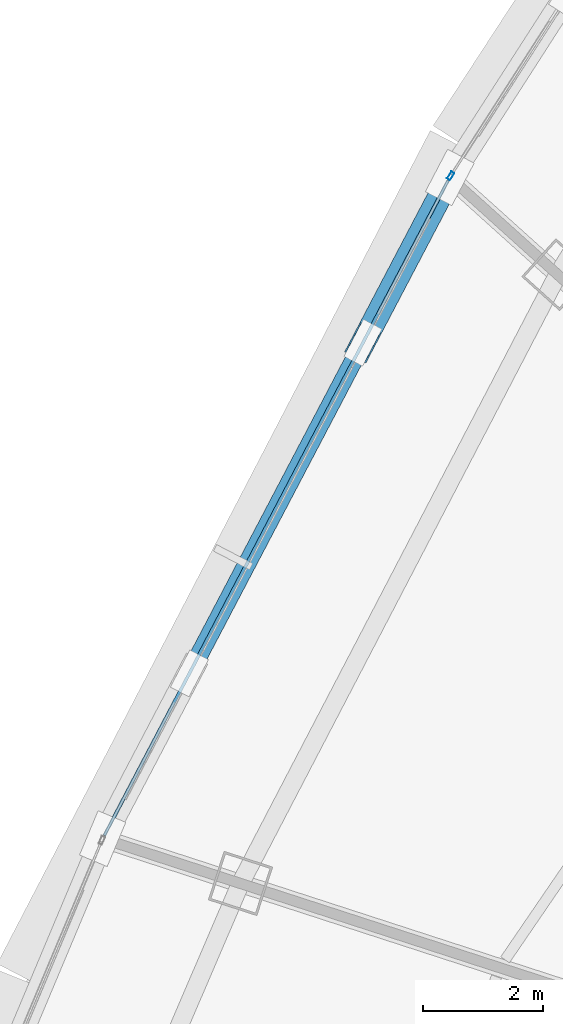
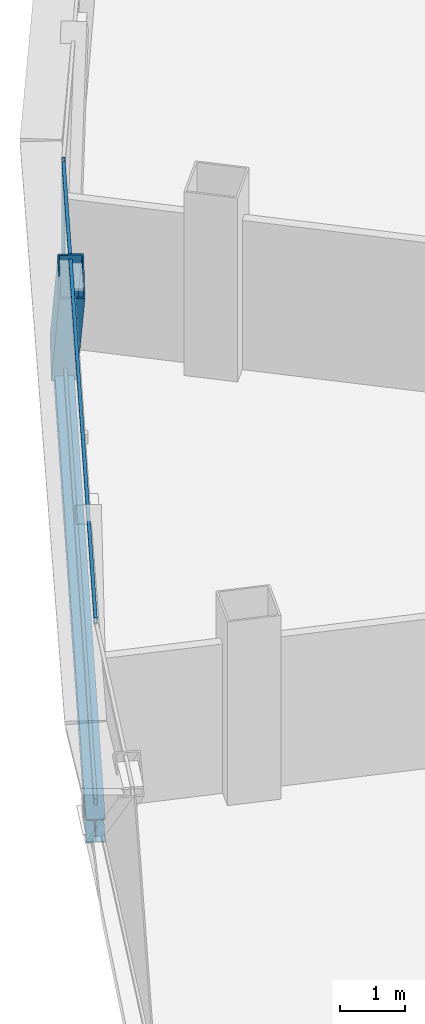
# One storey, part 15 of 37: 4 members, 1 beam, 2 elements without a shape of their own.
"""IFC4 building model written with IfcOpenShell, lengths in metres."""

from ifc_helpers import new_model, si_unit, direction, frame, origin, origin_2d, place, context, subcontext, project, spatial, hollow_rectangle, i_section, extrude, source, transform, mapped, material, layer, layer_set, material_profile, profile_set, type_object, element, aggregate, save


model = new_model("IFC4")

# Units and contexts
model_context = context("Model", 3, precision=1e-05, world=origin(), true_north=direction((0.0, 1.0)))
body_context = subcontext(model_context, "Body", "Model", "MODEL_VIEW")
ifc_project = project(units=[si_unit("LENGTHUNIT", "METRE"), si_unit("AREAUNIT", "SQUARE_METRE"), si_unit("VOLUMEUNIT", "CUBIC_METRE"), si_unit("PLANEANGLEUNIT", "RADIAN"), si_unit("MASSUNIT", "GRAM", prefix="KILO"), si_unit("THERMODYNAMICTEMPERATUREUNIT", "KELVIN"), si_unit("POWERUNIT", "WATT")], contexts=[model_context])

# Site, building, storey
site_placement = place(None, origin())
site = spatial("IfcSite", under=ifc_project, at=site_placement, CompositionType="ELEMENT")
building_placement = place(site_placement, origin())
building = spatial("IfcBuilding", under=site, at=building_placement, Name="Yunzhuo Pagoda Commons", CompositionType="ELEMENT")
storey_placement = place(building_placement, frame((0.0, 0.0, 240.800048828125)))
storey = spatial("IfcBuildingStorey", under=building, at=storey_placement, Name="L60", CompositionType="ELEMENT", Elevation=240.800048828125)

# Beam
ifc_material_1 = material(Name="Structural steel Q355B", Category="steel")
ifc_material_profile_1 = material_profile(ifc_material_1, i_section(OverallWidth=0.300048828125, OverallDepth=0.43994140625, WebThickness=0.010986328125, FlangeThickness=0.01806640625, at=origin_2d()), Name="Structural steel Q355B")
ifc_profile_set_1 = profile_set([ifc_material_profile_1], Name="Structural steel Q355B")
beam_type = type_object("IfcBeamType", Name="B-SP2 Beam HM 440x300x11x18", PredefinedType="BEAM", material=ifc_profile_set_1)
shared_shape_1 = source(origin(), body_context, "Body", "SweptSolid", [
    extrude(i_section(OverallWidth=0.300048828125, OverallDepth=0.43994140625, WebThickness=0.010986328125, FlangeThickness=0.01806640625, at=origin_2d()), origin(), (0.0, 0.0, 1.0), 12.444091796875),
])
beam_placement = place(storey_placement, frame((25.58837890625, 53.879638671875, -0.47998046875), z_axis=(-0.464752383857, -0.885440693496, 0.0), x_axis=(0.885440693496, -0.464752383857, 0.0)))
element("IfcBeam", 1, at=beam_placement, inside=storey, type_object=beam_type, Name="L60 facade edge spandrel beam F3.2", PredefinedType="BEAM", context=body_context, shape_type="MappedRepresentation", body=[
    mapped(shared_shape_1, transform((0.0, 0.0, 0.0), scale=1.0)),
])

# Member
ifc_material_profile_2 = material_profile(ifc_material_1, hollow_rectangle(XDim=0.39990234375, YDim=0.719970703125, WallThickness=0.02392578125, at=origin_2d()), Name="Structural steel Q355B")
ifc_profile_set_2 = profile_set([ifc_material_profile_2], Name="Structural steel Q355B")
member_type_1 = type_object("IfcMemberType", Name="M-DL2 Brace BOX 720x400x24", PredefinedType="BRACE", material=ifc_profile_set_2)
shared_shape_2 = source(origin(), body_context, "Body", "SweptSolid", [
    extrude(hollow_rectangle(XDim=0.39990234375, YDim=0.719970703125, WallThickness=0.02392578125, at=origin_2d()), origin(), (0.0, 0.0, 1.0), 4.857421875),
])
member_1_placement = place(storey_placement, frame((25.58837890625, 53.879638671875, -0.260009765625), z_axis=(-0.29770365409, -0.567109628415, 0.767957813751), x_axis=(0.885416472783, -0.46479852595, 0.0)))
element("IfcMember", 2, at=member_1_placement, inside=storey, type_object=member_type_1, Name="L60 facade diamond brace F3.2L", PredefinedType="BRACE", context=body_context, shape_type="MappedRepresentation", body=[
    mapped(shared_shape_2, transform((0.0, 0.0, 0.0), scale=1.0)),
])

# Curtain wall, member
ifc_material_2 = material(Name="Anodized aluminium 6063-T6", Category="aluminium")
ifc_layer = layer(ifc_material_2, 0.139892578125)
ifc_layer_set = layer_set([ifc_layer], Name="Anodized aluminium 6063-T6")
curtain_wall_type = type_object("IfcCurtainWallType", Name="CW-HI High-Zone Ribbon Curtain Wall", PredefinedType="NOTDEFINED", material=ifc_layer_set)
curtain_wall_1_placement = place(storey_placement, origin())
curtain_wall_1 = element("IfcCurtainWall", 3, at=curtain_wall_1_placement, inside=storey, type_object=curtain_wall_type, Name="L60 curtain wall CW-L60-F3B2", PredefinedType="NOTDEFINED")
ifc_material_profile_3 = material_profile(ifc_material_2, hollow_rectangle(XDim=0.06005859375, YDim=0.139892578125, WallThickness=0.00341796875, at=origin_2d()), Name="Anodized aluminium 6063-T6")
ifc_profile_set_3 = profile_set([ifc_material_profile_3], Name="Anodized aluminium 6063-T6")
member_type_2 = type_object("IfcMemberType", Name="CW-HI-M Mullion RHS 140x60x3.5", PredefinedType="MULLION", material=ifc_profile_set_3)
shared_shape_3 = source(origin(), body_context, "Body", "SweptSolid", [
    extrude(hollow_rectangle(XDim=0.06005859375, YDim=0.139892578125, WallThickness=0.00341796875, at=origin_2d()), origin(), (0.0, 0.0, 1.0), 3.47021484375),
])
member_2_placement = place(storey_placement, frame((25.6044921875, 53.90478515625, 0.0), z_axis=(0.0, 0.0, 1.0), x_axis=(0.841269037614, -0.540616690782, 0.0)))
member_2 = element("IfcMember", 4, at=member_2_placement, type_object=member_type_2, Name="CW mullion 2", PredefinedType="MULLION", context=body_context, shape_type="MappedRepresentation", body=[
    mapped(shared_shape_3, transform((0.0, 0.0, 0.0), scale=1.0)),
])
aggregate(curtain_wall_1, [member_2])

# Curtain wall, members
curtain_wall_2_placement = place(storey_placement, origin())
curtain_wall_2 = element("IfcCurtainWall", 5, at=curtain_wall_2_placement, inside=storey, type_object=curtain_wall_type, Name="L60 curtain wall CW-L60-F3B3", PredefinedType="NOTDEFINED")
ifc_material_profile_4 = material_profile(ifc_material_2, hollow_rectangle(XDim=0.054931640625, YDim=0.1201171875, WallThickness=0.00341796875, at=origin_2d()), Name="Anodized aluminium 6063-T6")
ifc_profile_set_4 = profile_set([ifc_material_profile_4], Name="Anodized aluminium 6063-T6")
member_type_3 = type_object("IfcMemberType", Name="CW-HI-T Transom RHS 120x55x3.5", PredefinedType="USERDEFINED", material=ifc_profile_set_4)
shared_shape_4 = source(origin(), body_context, "Body", "SweptSolid", [
    extrude(hollow_rectangle(XDim=0.054931640625, YDim=0.1201171875, WallThickness=0.00341796875, at=origin_2d()), origin(), (0.0, 0.0, 1.0), 12.323974609375),
])
member_3_placement = place(storey_placement, frame((25.560302734375, 53.826416015625, 0.02734375), z_axis=(-0.464750035495, -0.885441926107, 0.0), x_axis=(0.885441926107, -0.464750035495, 0.0)))
member_3 = element("IfcMember", 6, at=member_3_placement, type_object=member_type_3, Name="CW transom 1.1", ObjectType="TRANSOM", PredefinedType="USERDEFINED", context=body_context, shape_type="MappedRepresentation", body=[
    mapped(shared_shape_4, transform((0.0, 0.0, 0.0), scale=1.0)),
])
member_4_placement = place(storey_placement, frame((25.560302734375, 53.826416015625, 3.4423828125), z_axis=(-0.464750035495, -0.885441926107, 0.0), x_axis=(0.885441926107, -0.464750035495, 0.0)))
member_4 = element("IfcMember", 7, at=member_4_placement, type_object=member_type_3, Name="CW transom 1.2", ObjectType="TRANSOM", PredefinedType="USERDEFINED", context=body_context, shape_type="MappedRepresentation", body=[
    mapped(shared_shape_4, transform((0.0, 0.0, 0.0), scale=1.0)),
])
aggregate(curtain_wall_2, [member_3, member_4])

save(model, "model.ifc")
